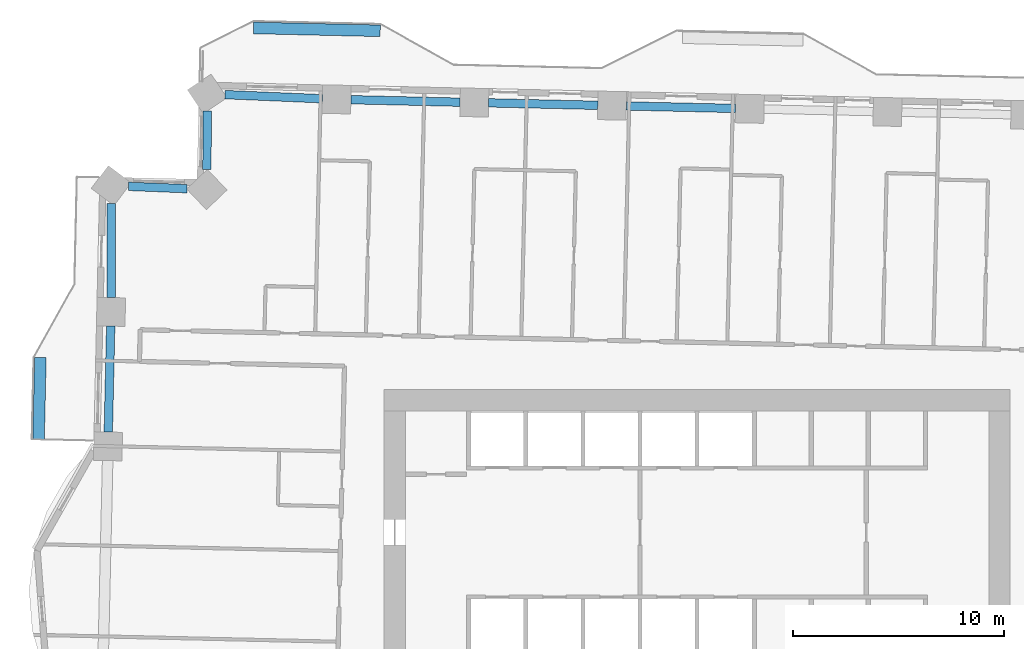
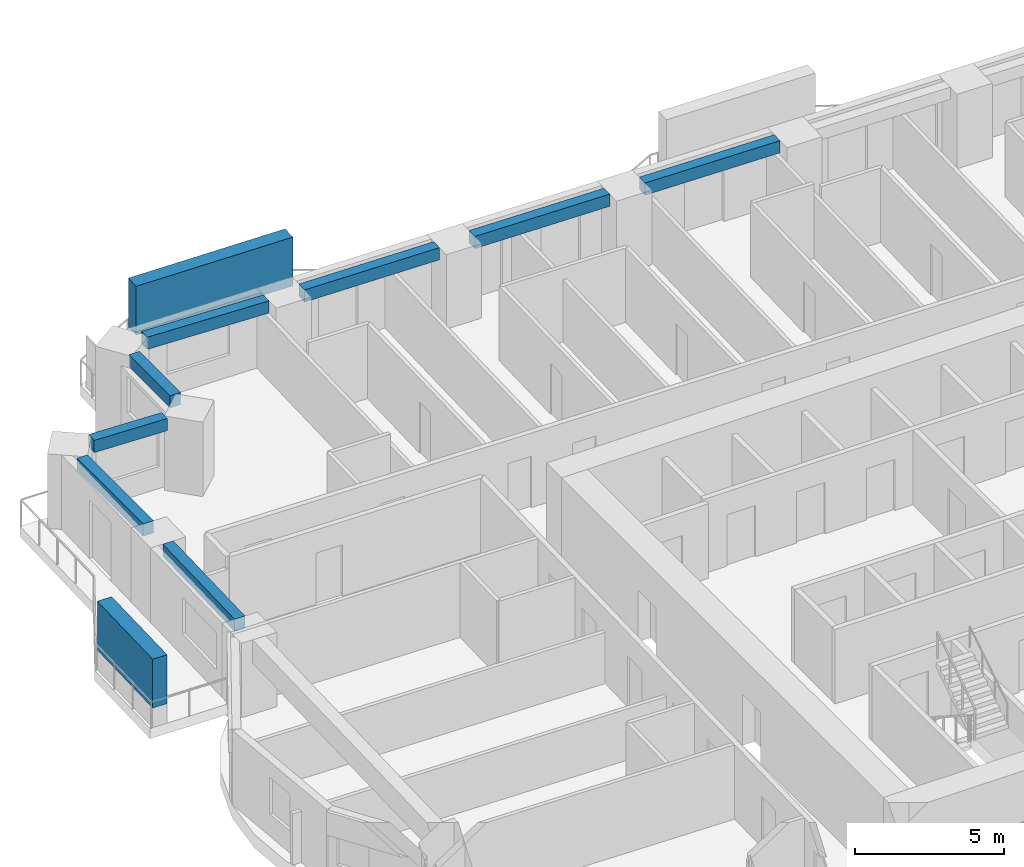
# One storey, part 3 of 16: 8 beams, 2 members.
"""IFC4 building model written with IfcOpenShell, lengths in metres."""

from ifc_helpers import new_model, si_unit, direction, frame, origin, origin_2d, place, context, subcontext, project, spatial, rectangle, extrude, material, material_profile, profile_set, type_object, element, save


model = new_model("IFC4")

# Units and contexts
model_context = context("Model", 3, precision=1e-05, world=origin(), true_north=direction((0.0, 1.0)))
body_context = subcontext(model_context, "Body", "Model", "MODEL_VIEW")
ifc_project = project(units=[si_unit("LENGTHUNIT", "METRE"), si_unit("AREAUNIT", "SQUARE_METRE"), si_unit("VOLUMEUNIT", "CUBIC_METRE"), si_unit("PLANEANGLEUNIT", "RADIAN"), si_unit("MASSUNIT", "GRAM", prefix="KILO")], contexts=[model_context])

# Site, building, storey
site_placement = place(None, origin())
site = spatial("IfcSite", under=ifc_project, at=site_placement, CompositionType="ELEMENT")
building_placement = place(site_placement, origin())
building = spatial("IfcBuilding", under=site, at=building_placement, Name="Mangrove Gate Tower", CompositionType="ELEMENT")
storey_placement = place(building_placement, frame((0.0, 0.0, 116.300048828125)))
storey = spatial("IfcBuildingStorey", under=building, at=storey_placement, Name="L29", CompositionType="ELEMENT", Elevation=116.300048828125)

# Members
ifc_material_1 = material(Name="Planting on aluminium trellis", Category="aluminium")
ifc_material_profile_1 = material_profile(ifc_material_1, rectangle(XDim=0.550048828125, YDim=2.0, at=origin_2d()))
ifc_profile_set_1 = profile_set([ifc_material_profile_1], Name="Planting on aluminium trellis")
member_type = type_object("IfcMemberType", Name="Balcony greenery screen 550x2000", PredefinedType="USERDEFINED", material=ifc_profile_set_1)
member_1_placement = place(storey_placement, frame((-20.986083984375, 28.912109375, 1.800048828125), z_axis=(0.999742171567, -0.022706615587, 0.0), x_axis=(0.022706615587, 0.999742171567, 0.0)))
element("IfcMember", 1, at=member_1_placement, inside=storey, type_object=member_type, Name="GREEN SCREEN L29 N1.1", ObjectType="PLANTING", PredefinedType="USERDEFINED", context=body_context, shape_type="SweptSolid", body=[
    extrude(rectangle(XDim=0.550048828125, YDim=2.0, at=origin_2d()), origin(), (0.0, 0.0, 1.0), 5.99951171875),
])
member_2_placement = place(storey_placement, frame((-31.14990234375, 9.447998046875, 1.800048828125), z_axis=(0.022681332769, 0.999742745482, 0.0), x_axis=(-0.999742745482, 0.022681332769, 0.0)))
element("IfcMember", 2, at=member_2_placement, inside=storey, type_object=member_type, Name="GREEN SCREEN L29 W0.1", ObjectType="PLANTING", PredefinedType="USERDEFINED", context=body_context, shape_type="SweptSolid", body=[
    extrude(rectangle(XDim=0.550048828125, YDim=2.0, at=origin_2d()), origin(), (0.0, 0.0, 1.0), 3.875),
])

# Beams
ifc_material_2 = material(Name="Concrete C50/60", Category="concrete")
ifc_material_profile_2 = material_profile(ifc_material_2, rectangle(XDim=0.39990234375, YDim=0.5, at=origin_2d()))
ifc_profile_set_2 = profile_set([ifc_material_profile_2], Name="Concrete C50/60")
beam_type = type_object("IfcBeamType", Name="Edge beam RC 400x500 C50/60", PredefinedType="BEAM", material=ifc_profile_set_2)
for number, where, z_axis, x_axis, name in (
    (3, (1.81591796875, 25.103515625, 2.800048828125), (-0.999741567077, 0.022733214852, 0.0), (-0.022733214852, -0.999741567077, 0.0), "Edge beam L29 23"),
    (4, (-4.6982421875, 25.25146484375, 2.800048828125), (-0.999741567077, 0.022733214852, 0.0), (-0.022733214852, -0.999741567077, 0.0), "Edge beam L29 24"),
):
    element("IfcBeam", number, at=place(storey_placement, frame(where, z_axis=z_axis, x_axis=x_axis)), inside=storey, type_object=beam_type, Name=name, PredefinedType="BEAM", context=body_context, shape_type="SweptSolid", body=[
        extrude(rectangle(XDim=0.39990234375, YDim=0.5, at=origin_2d()), origin(), (0.0, 0.0, 1.0), 5.16552734375),
    ])
beam_1_placement = place(storey_placement, frame((-11.212158203125, 25.3994140625, 2.800048828125), z_axis=(-0.999741469349, 0.022737512259, 0.0), x_axis=(-0.022737512259, -0.999741469349, 0.0)))
element("IfcBeam", 5, at=beam_1_placement, inside=storey, type_object=beam_type, Name="Edge beam L29 25", PredefinedType="BEAM", context=body_context, shape_type="SweptSolid", body=[
    extrude(rectangle(XDim=0.39990234375, YDim=0.5, at=origin_2d()), origin(), (0.0, 0.0, 1.0), 5.16455078125),
])
beam_2_placement = place(storey_placement, frame((-17.724853515625, 25.56103515625, 2.800048828125), z_axis=(-0.999087933273, 0.042700135693, 0.0), x_axis=(-0.042700135693, -0.999087933273, 0.0)))
element("IfcBeam", 6, at=beam_2_placement, inside=storey, type_object=beam_type, Name="Edge beam L29 26", PredefinedType="BEAM", context=body_context, shape_type="SweptSolid", body=[
    extrude(rectangle(XDim=0.39990234375, YDim=0.5, at=origin_2d()), origin(), (0.0, 0.0, 1.0), 4.614013671875),
])
beam_3_placement = place(storey_placement, frame((-23.175048828125, 24.978515625, 2.800048828125), z_axis=(-0.003432474059, -0.999994109044, 0.0), x_axis=(0.999994109044, -0.003432474059, 0.0)))
element("IfcBeam", 7, at=beam_3_placement, inside=storey, type_object=beam_type, Name="Edge beam L29 27", PredefinedType="BEAM", context=body_context, shape_type="SweptSolid", body=[
    extrude(rectangle(XDim=0.39990234375, YDim=0.5, at=origin_2d()), origin(), (0.0, 0.0, 1.0), 2.77392578125),
])
beam_4_placement = place(storey_placement, frame((-24.124755859375, 21.30615234375, 2.800048828125), z_axis=(-0.999174125775, 0.040633316159, 0.0), x_axis=(-0.040633316159, -0.999174125775, 0.0)))
element("IfcBeam", 8, at=beam_4_placement, inside=storey, type_object=beam_type, Name="Edge beam L29 28", PredefinedType="BEAM", context=body_context, shape_type="SweptSolid", body=[
    extrude(rectangle(XDim=0.39990234375, YDim=0.5, at=origin_2d()), origin(), (0.0, 0.0, 1.0), 2.769775390625),
])
beam_5_placement = place(storey_placement, frame((-27.71533203125, 20.606201171875, 2.800048828125), z_axis=(-0.001317521913, -0.999999132068, 0.0), x_axis=(0.999999132068, -0.001317521913, 0.0)))
element("IfcBeam", 9, at=beam_5_placement, inside=storey, type_object=beam_type, Name="Edge beam L29 29", PredefinedType="BEAM", context=body_context, shape_type="SweptSolid", body=[
    extrude(rectangle(XDim=0.39990234375, YDim=0.5, at=origin_2d()), origin(), (0.0, 0.0, 1.0), 4.447265625),
])
beam_6_placement = place(storey_placement, frame((-27.737548828125, 14.808837890625, 2.800048828125), z_axis=(-0.02259970241, -0.999744594109, 0.0), x_axis=(0.999744594109, -0.02259970241, 0.0)))
element("IfcBeam", 10, at=beam_6_placement, inside=storey, type_object=beam_type, Name="Edge beam L29 30", PredefinedType="BEAM", context=body_context, shape_type="SweptSolid", body=[
    extrude(rectangle(XDim=0.39990234375, YDim=0.5, at=origin_2d()), origin(), (0.0, 0.0, 1.0), 5.012451171875),
])

save(model, "model.ifc")
